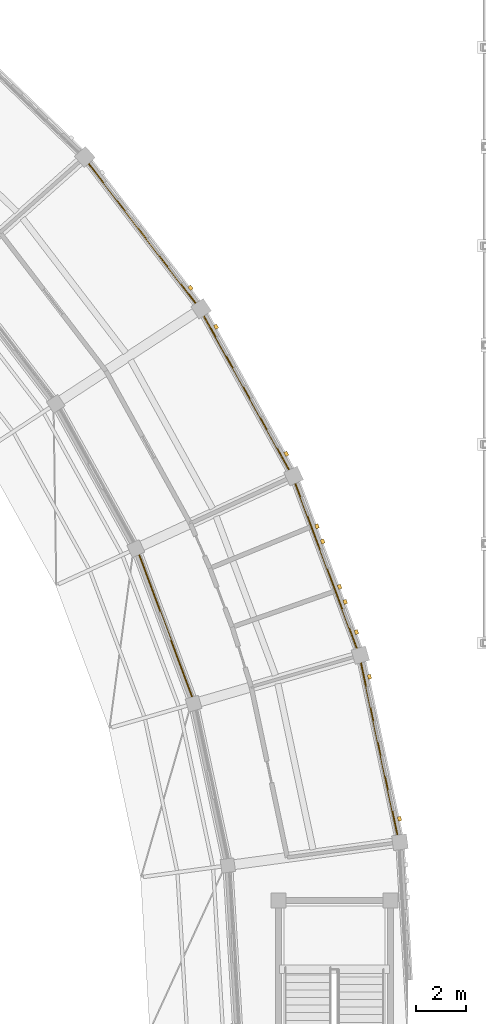
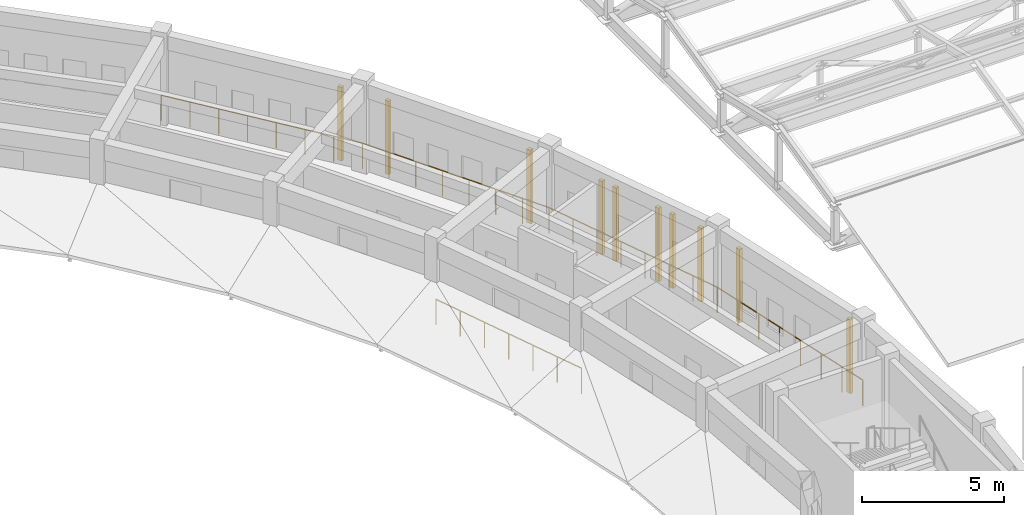
# One storey, part 112 of 112: 10 coverings, 5 railings.
"""IFC4 building model written with IfcOpenShell, lengths in metres."""

from ifc_helpers import new_model, si_unit, direction, frame, origin, origin_2d, place, context, subcontext, project, spatial, rectangle, circle, extrude, material, layer, layer_set, type_object, element, save


model = new_model("IFC4")

# Units and contexts
model_context = context("Model", 3, precision=1e-05, world=origin(), true_north=direction((0.0, 1.0)))
body_context = subcontext(model_context, "Body", "Model", "MODEL_VIEW")
ifc_project = project(units=[si_unit("LENGTHUNIT", "METRE"), si_unit("AREAUNIT", "SQUARE_METRE"), si_unit("VOLUMEUNIT", "CUBIC_METRE"), si_unit("PLANEANGLEUNIT", "RADIAN"), si_unit("MASSUNIT", "GRAM", prefix="KILO")], contexts=[model_context])

# Site, building, storey
site_placement = place(None, origin())
site = spatial("IfcSite", under=ifc_project, at=site_placement, CompositionType="ELEMENT")
building_placement = place(site_placement, origin())
building = spatial("IfcBuilding", under=site, at=building_placement, Name="Celadon Cloister-Ring School", CompositionType="ELEMENT")
storey_placement = place(building_placement, frame((0.0, 0.0, 8.5)))
storey = spatial("IfcBuildingStorey", under=building, at=storey_placement, Name="L02", CompositionType="ELEMENT", Elevation=8.5)

# Coverings
ifc_material_1 = material(Name="Perforated terracotta clay brick masonry", Category="masonry")
ifc_layer = layer(ifc_material_1, 0.139892578125)
ifc_layer_set = layer_set([ifc_layer], Name="Perforated terracotta clay brick masonry")
covering_type = type_object("IfcCoveringType", Name="CV-SC1", PredefinedType="CLADDING", material=ifc_layer_set)
for number, where, z_axis, x_axis, name in (
    (1, (137.300048828125, 72.637939453125, 0.0), (0.0, 0.0, 1.0), (0.207262913083, -0.978285277851, 0.0), "Brick Screen Rib 0307"),
    (2, (138.511962890625, 66.9150390625, 0.0), (0.0, 0.0, 1.0), (0.207262913083, -0.978285277851, 0.0), "Brick Screen Rib 0308"),
    (3, (135.18798828125, 78.701904296875, 0.0), (0.0, 0.0, 1.0), (0.349209954135, -0.937044506912, 0.0), "Brick Screen Rib 0309"),
    (4, (135.4150390625, 78.092041015625, 0.0), (0.0, 0.0, 1.0), (0.349209954135, -0.937044506912, 0.0), "Brick Screen Rib 0310"),
    (5, (136.095947265625, 76.264892578125, 0.0), (0.0, 0.0, 1.0), (0.349209954135, -0.937044506912, 0.0), "Brick Screen Rib 0311"),
    (6, (136.322998046875, 75.656005859375, 0.0), (0.0, 0.0, 1.0), (0.349209954135, -0.937044506912, 0.0), "Brick Screen Rib 0312"),
    (7, (136.777099609375, 74.43798828125, 0.0), (0.0, 0.0, 1.0), (0.349209954135, -0.937044506912, 0.0), "Brick Screen Rib 0313"),
    (8, (131.1201171875, 86.741943359375, 0.0), (0.0, 0.0, 1.0), (0.483832358408, -0.875160698933, 0.0), "Brick Screen Rib 0314"),
    (9, (133.949951171875, 81.6220703125, 0.0), (0.0, 0.0, 1.0), (0.483832358408, -0.875160698933, 0.0), "Brick Screen Rib 0315"),
    (10, (130.093017578125, 88.31103515625, 0.0), (0.0, 0.0, 1.0), (0.6079857272, -0.793947955172, 0.0), "Brick Screen Rib 0317"),
):
    element("IfcCovering", number, at=place(storey_placement, frame(where, z_axis=z_axis, x_axis=x_axis)), inside=storey, type_object=covering_type, Name=name, PredefinedType="CLADDING", context=body_context, shape_type="SweptSolid", body=[
        extrude(rectangle(XDim=0.179931640625, YDim=0.139892578125, at=origin_2d()), origin(), (0.0, 0.0, 1.0), 3.172119140625),
    ])

# Railings
ifc_material_2 = material(Name="Structural steel S355JR", Category="steel")
railing_type = type_object("IfcRailingType", Name="RL-BL1", PredefinedType="BALUSTRADE", material=ifc_material_2)
railing_1_placement = place(storey_placement, frame((138.490966796875, 65.966064453125, 0.0)))
element("IfcRailing", 11, at=railing_1_placement, inside=storey, type_object=railing_type, Name="Terrace Balustrade 0102", PredefinedType="BALUSTRADE", context=body_context, shape_type="SweptSolid", body=[
    extrude(circle(Radius=0.02392578125, at=origin_2d()), frame((0.0, 0.0, 1.09619140625), z_axis=(-0.207095796357, 0.978320668866, 0.0), x_axis=(-0.978320668866, -0.207095796357, 0.0)), (0.0, 0.0, 1.0), 7.69677734375),
    extrude(circle(Radius=0.02099609375, at=origin_2d()), origin(), (0.0, 0.0, 1.0), 1.072021484375),
    extrude(circle(Radius=0.02099609375, at=origin_2d()), frame((-0.227783203125, 1.07568359375, 0.0)), (0.0, 0.0, 1.0), 1.072021484375),
    extrude(circle(Radius=0.02099609375, at=origin_2d()), frame((-0.455322265625, 2.1513671875, 0.0)), (0.0, 0.0, 1.0), 1.072021484375),
    extrude(circle(Radius=0.02099609375, at=origin_2d()), frame((-0.68310546875, 3.22705078125, 0.0)), (0.0, 0.0, 1.0), 1.072021484375),
    extrude(circle(Radius=0.02099609375, at=origin_2d()), frame((-0.910888671875, 4.302978515625, 0.0)), (0.0, 0.0, 1.0), 1.072021484375),
    extrude(circle(Radius=0.02099609375, at=origin_2d()), frame((-1.138671875, 5.378662109375, 0.0)), (0.0, 0.0, 1.0), 1.072021484375),
    extrude(circle(Radius=0.02099609375, at=origin_2d()), frame((-1.3662109375, 6.454345703125, 0.0)), (0.0, 0.0, 1.0), 1.072021484375),
    extrude(circle(Radius=0.02099609375, at=origin_2d()), frame((-1.593994140625, 7.530029296875, 0.0)), (0.0, 0.0, 1.0), 1.072021484375),
])
railing_2_placement = place(storey_placement, frame((136.89697265625, 73.49609375, 0.0)))
element("IfcRailing", 12, at=railing_2_placement, inside=storey, type_object=railing_type, Name="Terrace Balustrade 0103", PredefinedType="BALUSTRADE", context=body_context, shape_type="SweptSolid", body=[
    extrude(circle(Radius=0.02392578125, at=origin_2d()), frame((0.0, 0.0, 1.09619140625), z_axis=(-0.349315433681, 0.93700519091, 0.0), x_axis=(-0.93700519091, -0.349315433681, 0.0)), (0.0, 0.0, 1.0), 7.69775390625),
    extrude(circle(Radius=0.02099609375, at=origin_2d()), origin(), (0.0, 0.0, 1.0), 1.072021484375),
    extrude(circle(Radius=0.02099609375, at=origin_2d()), frame((-0.384033203125, 1.030517578125, 0.0)), (0.0, 0.0, 1.0), 1.072021484375),
    extrude(circle(Radius=0.02099609375, at=origin_2d()), frame((-0.768310546875, 2.060791015625, 0.0)), (0.0, 0.0, 1.0), 1.072021484375),
    extrude(circle(Radius=0.02099609375, at=origin_2d()), frame((-1.15234375, 3.09130859375, 0.0)), (0.0, 0.0, 1.0), 1.072021484375),
    extrude(circle(Radius=0.02099609375, at=origin_2d()), frame((-1.53662109375, 4.12158203125, 0.0)), (0.0, 0.0, 1.0), 1.072021484375),
    extrude(circle(Radius=0.02099609375, at=origin_2d()), frame((-1.920654296875, 5.152099609375, 0.0)), (0.0, 0.0, 1.0), 1.072021484375),
    extrude(circle(Radius=0.02099609375, at=origin_2d()), frame((-2.304931640625, 6.182373046875, 0.0)), (0.0, 0.0, 1.0), 1.072021484375),
    extrude(circle(Radius=0.02099609375, at=origin_2d()), frame((-2.68896484375, 7.212890625, 0.0)), (0.0, 0.0, 1.0), 1.072021484375),
])
railing_3_placement = place(storey_placement, frame((134.2080078125, 80.708984375, 0.0)))
element("IfcRailing", 13, at=railing_3_placement, inside=storey, type_object=railing_type, Name="Terrace Balustrade 0104", PredefinedType="BALUSTRADE", context=body_context, shape_type="SweptSolid", body=[
    extrude(circle(Radius=0.02392578125, at=origin_2d()), frame((0.0, 0.0, 1.09619140625), z_axis=(-0.484034517871, 0.875048904638, 0.0), x_axis=(-0.875048904638, -0.484034517871, 0.0)), (0.0, 0.0, 1.0), 7.697998046875),
    extrude(circle(Radius=0.02099609375, at=origin_2d()), origin(), (0.0, 0.0, 1.0), 1.072021484375),
    extrude(circle(Radius=0.02099609375, at=origin_2d()), frame((-0.5322265625, 0.96240234375, 0.0)), (0.0, 0.0, 1.0), 1.072021484375),
    extrude(circle(Radius=0.02099609375, at=origin_2d()), frame((-1.064697265625, 1.924560546875, 0.0)), (0.0, 0.0, 1.0), 1.072021484375),
    extrude(circle(Radius=0.02099609375, at=origin_2d()), frame((-1.596923828125, 2.886962890625, 0.0)), (0.0, 0.0, 1.0), 1.072021484375),
    extrude(circle(Radius=0.02099609375, at=origin_2d()), frame((-2.129150390625, 3.84912109375, 0.0)), (0.0, 0.0, 1.0), 1.072021484375),
    extrude(circle(Radius=0.02099609375, at=origin_2d()), frame((-2.661376953125, 4.8115234375, 0.0)), (0.0, 0.0, 1.0), 1.072021484375),
    extrude(circle(Radius=0.02099609375, at=origin_2d()), frame((-3.19384765625, 5.773681640625, 0.0)), (0.0, 0.0, 1.0), 1.072021484375),
    extrude(circle(Radius=0.02099609375, at=origin_2d()), frame((-3.72607421875, 6.736083984375, 0.0)), (0.0, 0.0, 1.0), 1.072021484375),
])
railing_4_placement = place(storey_placement, frame((130.48193359375, 87.445068359375, 0.0)))
element("IfcRailing", 14, at=railing_4_placement, inside=storey, type_object=railing_type, Name="Terrace Balustrade 0105", PredefinedType="BALUSTRADE", context=body_context, shape_type="SweptSolid", body=[
    extrude(circle(Radius=0.02392578125, at=origin_2d()), frame((0.0, 0.0, 1.09619140625), z_axis=(-0.607877382965, 0.794030910783, 0.0), x_axis=(-0.794030910783, -0.607877382965, 0.0)), (0.0, 0.0, 1.0), 7.697265625),
    extrude(circle(Radius=0.02099609375, at=origin_2d()), origin(), (0.0, 0.0, 1.0), 1.072021484375),
    extrude(circle(Radius=0.02099609375, at=origin_2d()), frame((-0.66845703125, 0.873046875, 0.0)), (0.0, 0.0, 1.0), 1.072021484375),
    extrude(circle(Radius=0.02099609375, at=origin_2d()), frame((-1.3369140625, 1.746337890625, 0.0)), (0.0, 0.0, 1.0), 1.072021484375),
    extrude(circle(Radius=0.02099609375, at=origin_2d()), frame((-2.00537109375, 2.619384765625, 0.0)), (0.0, 0.0, 1.0), 1.072021484375),
    extrude(circle(Radius=0.02099609375, at=origin_2d()), frame((-2.673583984375, 3.492431640625, 0.0)), (0.0, 0.0, 1.0), 1.072021484375),
    extrude(circle(Radius=0.02099609375, at=origin_2d()), frame((-3.342041015625, 4.365478515625, 0.0)), (0.0, 0.0, 1.0), 1.072021484375),
    extrude(circle(Radius=0.02099609375, at=origin_2d()), frame((-4.010498046875, 5.23876953125, 0.0)), (0.0, 0.0, 1.0), 1.072021484375),
    extrude(circle(Radius=0.02099609375, at=origin_2d()), frame((-4.678955078125, 6.11181640625, 0.0)), (0.0, 0.0, 1.0), 1.072021484375),
])
railing_5_placement = place(storey_placement, frame((130.251953125, 71.56591796875, 0.0)))
element("IfcRailing", 15, at=railing_5_placement, inside=storey, type_object=railing_type, Name="Terrace Balustrade 0138", PredefinedType="BALUSTRADE", context=body_context, shape_type="SweptSolid", body=[
    extrude(circle(Radius=0.02392578125, at=origin_2d()), frame((0.0, 0.0, 1.09619140625), z_axis=(-0.349346515714, 0.936993602944, 0.0), x_axis=(-0.936993602944, -0.349346515714, 0.0)), (0.0, 0.0, 1.0), 6.672607421875),
    extrude(circle(Radius=0.02099609375, at=origin_2d()), origin(), (0.0, 0.0, 1.0), 1.072021484375),
    extrude(circle(Radius=0.02099609375, at=origin_2d()), frame((-0.388427734375, 1.0419921875, 0.0)), (0.0, 0.0, 1.0), 1.072021484375),
    extrude(circle(Radius=0.02099609375, at=origin_2d()), frame((-0.777099609375, 2.083984375, 0.0)), (0.0, 0.0, 1.0), 1.072021484375),
    extrude(circle(Radius=0.02099609375, at=origin_2d()), frame((-1.16552734375, 3.1259765625, 0.0)), (0.0, 0.0, 1.0), 1.072021484375),
    extrude(circle(Radius=0.02099609375, at=origin_2d()), frame((-1.553955078125, 4.168212890625, 0.0)), (0.0, 0.0, 1.0), 1.072021484375),
    extrude(circle(Radius=0.02099609375, at=origin_2d()), frame((-1.942626953125, 5.210205078125, 0.0)), (0.0, 0.0, 1.0), 1.072021484375),
    extrude(circle(Radius=0.02099609375, at=origin_2d()), frame((-2.3310546875, 6.252197265625, 0.0)), (0.0, 0.0, 1.0), 1.072021484375),
])

save(model, "model.ifc")
